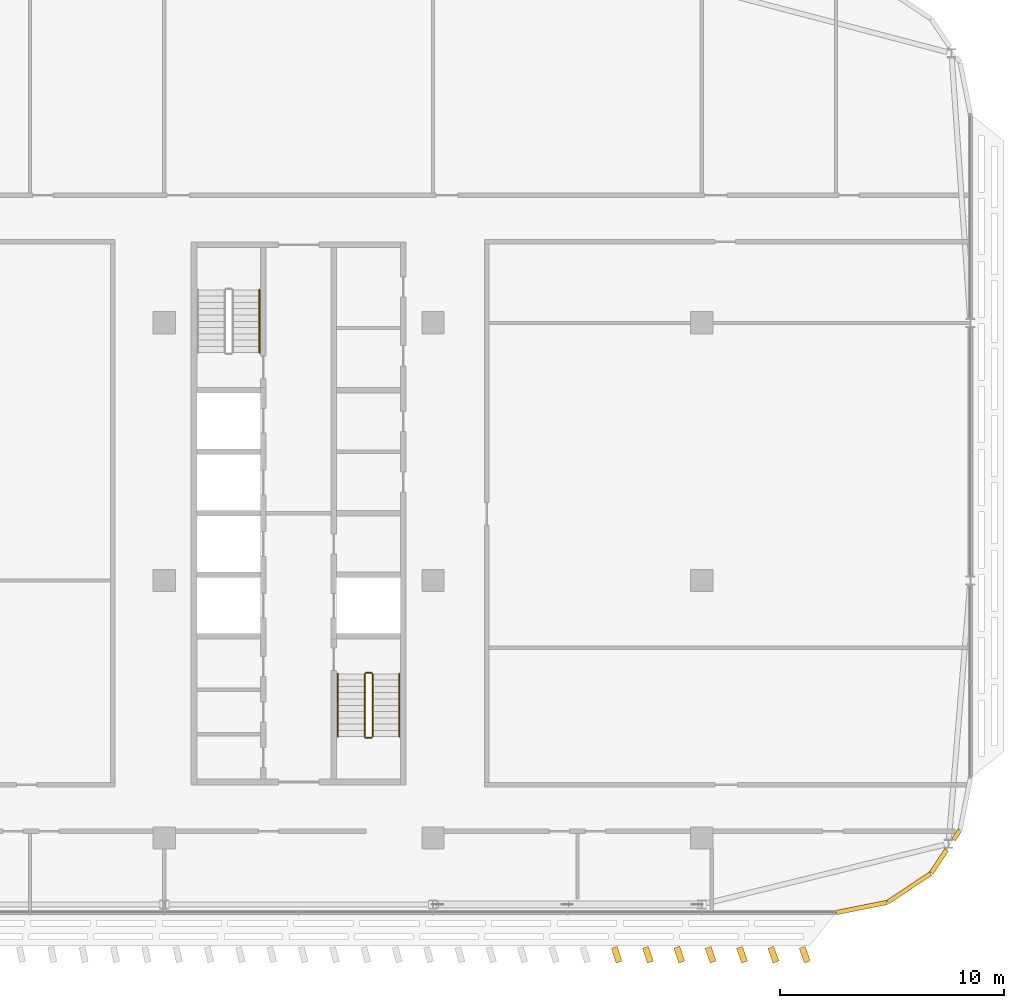
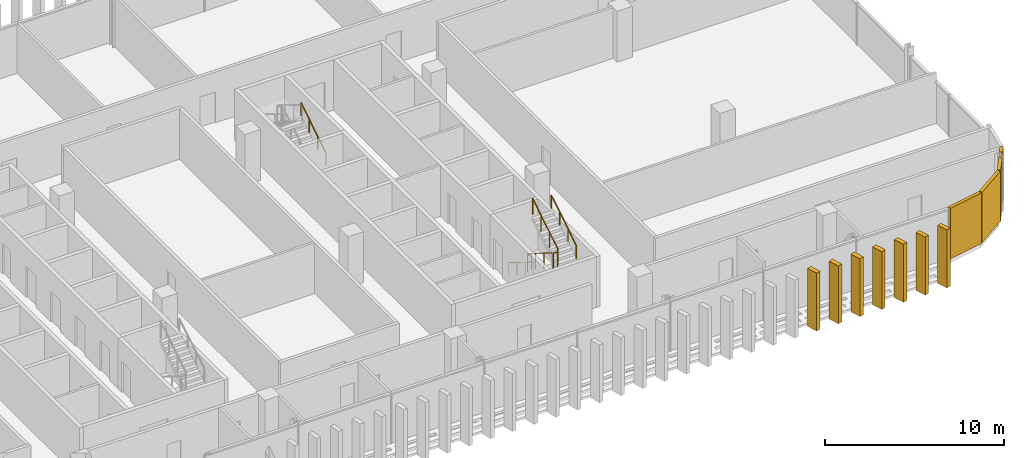
# One storey, part 34 of 35: 11 coverings, 7 railings.
"""IFC4 building model written with IfcOpenShell, lengths in metres."""

from ifc_helpers import new_model, si_unit, direction, frame, origin, origin_2d, place, context, subcontext, project, spatial, rectangle, circle, extrude, material, layer, layer_set, type_object, element, save


model = new_model("IFC4")

# Units and contexts
model_context = context("Model", 3, precision=1e-05, world=origin(), true_north=direction((0.0, 1.0)))
body_context = subcontext(model_context, "Body", "Model", "MODEL_VIEW")
ifc_project = project(units=[si_unit("LENGTHUNIT", "METRE"), si_unit("AREAUNIT", "SQUARE_METRE"), si_unit("VOLUMEUNIT", "CUBIC_METRE"), si_unit("PLANEANGLEUNIT", "RADIAN"), si_unit("MASSUNIT", "GRAM", prefix="KILO")], contexts=[model_context])

# Site, building, storey
site_placement = place(None, origin())
site = spatial("IfcSite", under=ifc_project, at=site_placement, CompositionType="ELEMENT")
building_placement = place(site_placement, origin())
building = spatial("IfcBuilding", under=site, at=building_placement, Name="Mahtab Terrace Research Tower", CompositionType="ELEMENT")
storey_placement = place(building_placement, frame((0.0, 0.0, 251.39990234375)))
storey = spatial("IfcBuildingStorey", under=building, at=storey_placement, Name="L61", CompositionType="ELEMENT", Elevation=251.39990234375)

# Coverings
ifc_material_1 = material(Name="Black aluminium cladding panel", Category="aluminium")
ifc_layer_1 = layer(ifc_material_1, 0.199951171875)
ifc_layer_set_1 = layer_set([ifc_layer_1], Name="Black metal corner cladding 200")
covering_type_1 = type_object("IfcCoveringType", Name="Black metal corner cladding 200", PredefinedType="CLADDING", material=ifc_layer_set_1)
for number, where, z_axis, x_axis, name in (
    (1, (49.14794921875, -14.60546875, 0.0), (0.0, 0.0, 1.0), (0.980760981187, 0.195212442692, 0.0), "Corner cladding L61 18"),
    (2, (51.26953125, -13.72705078125, 0.0), (0.0, 0.0, 1.0), (0.831655794326, 0.555291490808, 0.0), "Corner cladding L61 19"),
):
    element("IfcCovering", number, at=place(storey_placement, frame(where, z_axis=z_axis, x_axis=x_axis)), inside=storey, type_object=covering_type_1, Name=name, PredefinedType="CLADDING", context=body_context, shape_type="SweptSolid", body=[
        extrude(rectangle(XDim=2.30126953125, YDim=0.199951171875, at=origin_2d()), origin(), (0.0, 0.0, 1.0), 3.4599609375),
    ])
covering_1_placement = place(storey_placement, frame((52.5986328125, -12.544189453125, 0.0), z_axis=(0.0, 0.0, 1.0), x_axis=(0.555291490808, 0.831655794326, 0.0)))
element("IfcCovering", 3, at=covering_1_placement, inside=storey, type_object=covering_type_1, Name="Corner cladding L61 20", PredefinedType="CLADDING", context=body_context, shape_type="SweptSolid", body=[
    extrude(rectangle(XDim=1.241455078125, YDim=0.199951171875, at=origin_2d()), origin(), (0.0, 0.0, 1.0), 3.4599609375),
])
covering_2_placement = place(storey_placement, frame((53.38623046875, -11.36474609375, 0.0), z_axis=(0.0, 0.0, 1.0), x_axis=(0.555291490808, 0.831655794326, 0.0)))
element("IfcCovering", 4, at=covering_2_placement, inside=storey, type_object=covering_type_1, Name="Corner cladding L61 21", PredefinedType="CLADDING", context=body_context, shape_type="SweptSolid", body=[
    extrude(rectangle(XDim=0.524658203125, YDim=0.199951171875, at=origin_2d()), origin(), (0.0, 0.0, 1.0), 3.4599609375),
])

# Railings
ifc_material_2 = material(Name="Stainless steel AISI 304", Category="steel")
railing_type_1 = type_object("IfcRailingType", Name="Stair guard 1100", PredefinedType="GUARDRAIL", material=ifc_material_2)
railing_1_placement = place(storey_placement, frame((26.949951171875, -4.175048828125, 0.1728515625)))
element("IfcRailing", 5, at=railing_1_placement, inside=storey, type_object=railing_type_1, Name="L61 ST4 stair guard 1", PredefinedType="GUARDRAIL", context=body_context, shape_type="SweptSolid", body=[
    extrude(circle(Radius=0.02392578125, at=origin_2d()), frame((0.0, 0.0, 1.076171875), z_axis=(0.0, -0.851089632645, 0.525020415988), x_axis=(1.0, 0.0, 0.0)), (0.0, 0.0, 1.0), 3.2900390625),
    extrude(circle(Radius=0.02099609375, at=origin_2d()), origin(), (0.0, 0.0, 1.0), 1.052001953125),
    extrude(circle(Radius=0.02099609375, at=origin_2d()), frame((0.0, -0.933349609375, 0.57568359375)), (0.0, 0.0, 1.0), 1.052001953125),
    extrude(circle(Radius=0.02099609375, at=origin_2d()), frame((0.0, -1.86669921875, 1.151611328125)), (0.0, 0.0, 1.0), 1.052001953125),
    extrude(circle(Radius=0.02099609375, at=origin_2d()), frame((0.0, -2.800048828125, 1.727294921875)), (0.0, 0.0, 1.0), 1.052001953125),
])
railing_2_placement = place(storey_placement, frame((27.0, -7.02490234375, 1.900146484375)))
element("IfcRailing", 6, at=railing_2_placement, inside=storey, type_object=railing_type_1, Name="L61 ST4 stair guard 2", PredefinedType="GUARDRAIL", context=body_context, shape_type="SweptSolid", body=[
    extrude(circle(Radius=0.02392578125, at=origin_2d()), frame((0.0, 0.0, 1.076171875), z_axis=(1.0, 0.0, 0.0), x_axis=(0.0, 1.0, 0.0)), (0.0, 0.0, 1.0), 0.25),
    extrude(circle(Radius=0.02099609375, at=origin_2d()), origin(), (0.0, 0.0, 1.0), 1.052001953125),
    extrude(circle(Radius=0.02099609375, at=origin_2d()), frame((0.25, 0.0, 0.0)), (0.0, 0.0, 1.0), 1.052001953125),
])
railing_3_placement = place(storey_placement, frame((27.300048828125, -6.97509765625, 2.07275390625)))
element("IfcRailing", 7, at=railing_3_placement, inside=storey, type_object=railing_type_1, Name="L61 ST4 stair guard 3", PredefinedType="GUARDRAIL", context=body_context, shape_type="SweptSolid", body=[
    extrude(circle(Radius=0.02392578125, at=origin_2d()), frame((0.0, 0.0, 1.076171875), z_axis=(0.0, 0.851089632645, 0.525020415988), x_axis=(-1.0, 0.0, 0.0)), (0.0, 0.0, 1.0), 3.2900390625),
    extrude(circle(Radius=0.02099609375, at=origin_2d()), origin(), (0.0, 0.0, 1.0), 1.052001953125),
    extrude(circle(Radius=0.02099609375, at=origin_2d()), frame((0.0, 0.933349609375, 0.57568359375)), (0.0, 0.0, 1.0), 1.052001953125),
    extrude(circle(Radius=0.02099609375, at=origin_2d()), frame((0.0, 1.86669921875, 1.151611328125)), (0.0, 0.0, 1.0), 1.052001953125),
    extrude(circle(Radius=0.02099609375, at=origin_2d()), frame((0.0, 2.800048828125, 1.727294921875)), (0.0, 0.0, 1.0), 1.052001953125),
])
railing_4_placement = place(storey_placement, frame((27.0, -4.125, 0.0)))
element("IfcRailing", 8, at=railing_4_placement, inside=storey, type_object=railing_type_1, Name="L61 ST4 stair guard 4", PredefinedType="GUARDRAIL", context=body_context, shape_type="SweptSolid", body=[
    extrude(circle(Radius=0.02392578125, at=origin_2d()), frame((0.0, 0.0, 1.076171875), z_axis=(1.0, 0.0, 0.0), x_axis=(0.0, 1.0, 0.0)), (0.0, 0.0, 1.0), 0.25),
    extrude(circle(Radius=0.02099609375, at=origin_2d()), origin(), (0.0, 0.0, 1.0), 1.052001953125),
    extrude(circle(Radius=0.02099609375, at=origin_2d()), frame((0.25, 0.0, 0.0)), (0.0, 0.0, 1.0), 1.052001953125),
])
railing_type_2 = type_object("IfcRailingType", Name="Stair handrail 900", PredefinedType="HANDRAIL", material=ifc_material_2)
railing_5_placement = place(storey_placement, frame((22.25, 10.175048828125, 0.1728515625)))
element("IfcRailing", 9, at=railing_5_placement, inside=storey, type_object=railing_type_2, Name="L61 ST3 stair handrail 1", PredefinedType="HANDRAIL", context=body_context, shape_type="SweptSolid", body=[
    extrude(circle(Radius=0.02392578125, at=origin_2d()), frame((0.0, 0.0, 0.8759765625), z_axis=(0.0, 0.851089632645, 0.525020415988), x_axis=(-1.0, 0.0, 0.0)), (0.0, 0.0, 1.0), 3.2900390625),
    extrude(circle(Radius=0.02099609375, at=origin_2d()), origin(), (0.0, 0.0, 1.0), 0.851806640625),
    extrude(circle(Radius=0.02099609375, at=origin_2d()), frame((0.0, 0.933349609375, 0.57568359375)), (0.0, 0.0, 1.0), 0.851806640625),
    extrude(circle(Radius=0.02099609375, at=origin_2d()), frame((0.0, 1.86669921875, 1.151611328125)), (0.0, 0.0, 1.0), 0.851806640625),
    extrude(circle(Radius=0.02099609375, at=origin_2d()), frame((0.0, 2.800048828125, 1.727294921875)), (0.0, 0.0, 1.0), 0.851806640625),
])
railing_6_placement = place(storey_placement, frame((25.75, -4.175048828125, 0.1728515625)))
element("IfcRailing", 10, at=railing_6_placement, inside=storey, type_object=railing_type_2, Name="L61 ST4 stair handrail 1", PredefinedType="HANDRAIL", context=body_context, shape_type="SweptSolid", body=[
    extrude(circle(Radius=0.02392578125, at=origin_2d()), frame((0.0, 0.0, 0.8759765625), z_axis=(0.0, -0.851089632645, 0.525020415988), x_axis=(1.0, 0.0, 0.0)), (0.0, 0.0, 1.0), 3.2900390625),
    extrude(circle(Radius=0.02099609375, at=origin_2d()), origin(), (0.0, 0.0, 1.0), 0.851806640625),
    extrude(circle(Radius=0.02099609375, at=origin_2d()), frame((0.0, -0.933349609375, 0.57568359375)), (0.0, 0.0, 1.0), 0.851806640625),
    extrude(circle(Radius=0.02099609375, at=origin_2d()), frame((0.0, -1.86669921875, 1.151611328125)), (0.0, 0.0, 1.0), 0.851806640625),
    extrude(circle(Radius=0.02099609375, at=origin_2d()), frame((0.0, -2.800048828125, 1.727294921875)), (0.0, 0.0, 1.0), 0.851806640625),
])
railing_7_placement = place(storey_placement, frame((28.5, -6.97509765625, 2.07275390625)))
element("IfcRailing", 11, at=railing_7_placement, inside=storey, type_object=railing_type_2, Name="L61 ST4 stair handrail 2", PredefinedType="HANDRAIL", context=body_context, shape_type="SweptSolid", body=[
    extrude(circle(Radius=0.02392578125, at=origin_2d()), frame((0.0, 0.0, 0.8759765625), z_axis=(0.0, 0.851089632645, 0.525020415988), x_axis=(-1.0, 0.0, 0.0)), (0.0, 0.0, 1.0), 3.2900390625),
    extrude(circle(Radius=0.02099609375, at=origin_2d()), origin(), (0.0, 0.0, 1.0), 0.851806640625),
    extrude(circle(Radius=0.02099609375, at=origin_2d()), frame((0.0, 0.933349609375, 0.57568359375)), (0.0, 0.0, 1.0), 0.851806640625),
    extrude(circle(Radius=0.02099609375, at=origin_2d()), frame((0.0, 1.86669921875, 1.151611328125)), (0.0, 0.0, 1.0), 0.851806640625),
    extrude(circle(Radius=0.02099609375, at=origin_2d()), frame((0.0, 2.800048828125, 1.727294921875)), (0.0, 0.0, 1.0), 0.851806640625),
])

# Coverings
ifc_material_3 = material(Name="Bronze anodised aluminium", Category="aluminium")
ifc_layer_2 = layer(ifc_material_3, 0.1201171875)
ifc_layer_set_2 = layer_set([ifc_layer_2], Name="Vertical fin 700")
covering_type_2 = type_object("IfcCoveringType", Name="Vertical fin 700", PredefinedType="CLADDING", material=ifc_layer_set_2)
for number, where, z_axis, x_axis, name in (
    (12, (38.199951171875, -16.7099609375, -0.14990234375), (0.0, 0.0, 1.0), (0.952838199286, 0.303478773527, 0.0), "Fin L61 S53"),
    (13, (39.60009765625, -16.710205078125, -0.14990234375), (0.0, 0.0, 1.0), (0.951056516295, 0.309016994375, 0.0), "Fin L61 S54"),
    (14, (41.0, -16.710205078125, -0.14990234375), (0.0, 0.0, 1.0), (0.949242643575, 0.314544756146, 0.0), "Fin L61 S55"),
    (15, (42.39990234375, -16.71044921875, -0.14990234375), (0.0, 0.0, 1.0), (0.947396642512, 0.320061871762, 0.0), "Fin L61 S56"),
    (16, (43.800048828125, -16.71044921875, -0.14990234375), (0.0, 0.0, 1.0), (0.945518575599, 0.325568154457, 0.0), "Fin L61 S57"),
    (17, (45.199951171875, -16.710693359375, -0.14990234375), (0.0, 0.0, 1.0), (0.943608506396, 0.331063417879, 0.0), "Fin L61 S58"),
    (18, (46.60009765625, -16.710693359375, -0.14990234375), (0.0, 0.0, 1.0), (0.941666499544, 0.336547476052, 0.0), "Fin L61 S59"),
):
    element("IfcCovering", number, at=place(storey_placement, frame(where, z_axis=z_axis, x_axis=x_axis)), inside=storey, type_object=covering_type_2, Name=name, PredefinedType="CLADDING", context=body_context, shape_type="SweptSolid", body=[
        extrude(rectangle(XDim=0.280029296875, YDim=0.699951171875, at=origin_2d()), origin(), (0.0, 0.0, 1.0), 3.949951171875),
    ])

save(model, "model.ifc")
